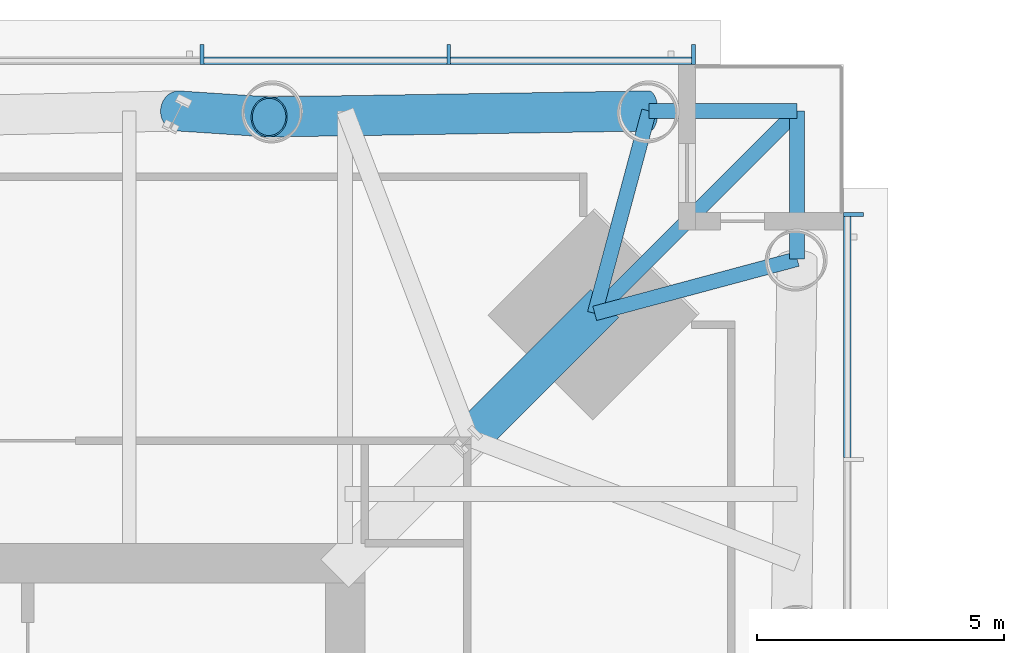
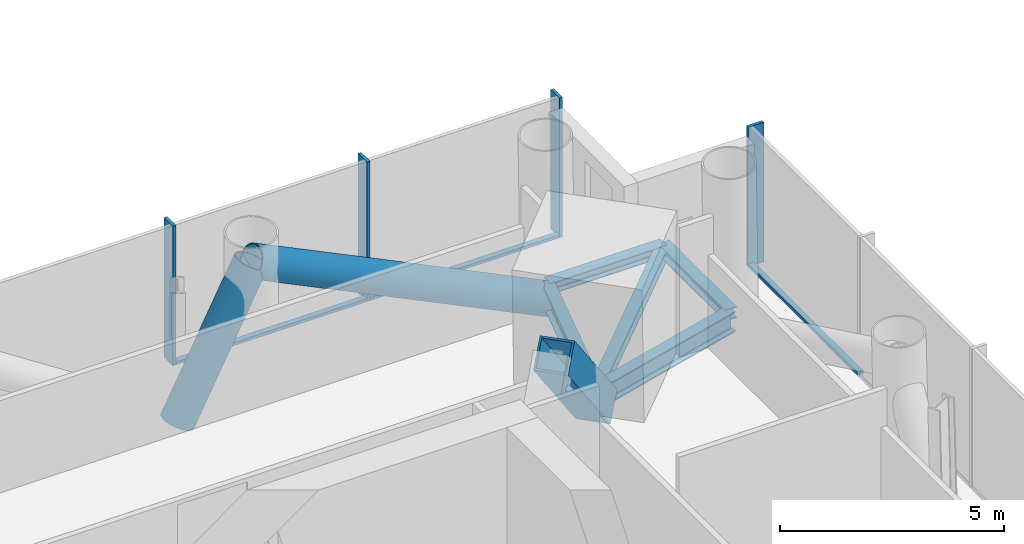
# One storey, part 5 of 28: 10 members, 5 beams, 2 elements without a shape of their own.
"""IFC4 building model written with IfcOpenShell, lengths in metres."""

from ifc_helpers import new_model, si_unit, direction, frame, origin, origin_2d, place, context, subcontext, project, spatial, rectangle, hollow_rectangle, hollow_circle, i_section, extrude, material, material_profile, profile_set, type_object, element, aggregate, save


model = new_model("IFC4")

# Units and contexts
model_context = context("Model", 3, precision=1e-05, world=origin(), true_north=direction((0.0, 1.0)))
body_context = subcontext(model_context, "Body", "Model", "MODEL_VIEW")
ifc_project = project(units=[si_unit("LENGTHUNIT", "METRE"), si_unit("AREAUNIT", "SQUARE_METRE"), si_unit("VOLUMEUNIT", "CUBIC_METRE"), si_unit("PLANEANGLEUNIT", "RADIAN"), si_unit("MASSUNIT", "GRAM", prefix="KILO")], contexts=[model_context])

# Site, building, storey
site_placement = place(None, origin())
site = spatial("IfcSite", under=ifc_project, at=site_placement, CompositionType="ELEMENT")
building_placement = place(site_placement, origin())
building = spatial("IfcBuilding", under=site, at=building_placement, Name="Ostroluk Exchange", CompositionType="ELEMENT")
storey_placement = place(building_placement, frame((0.0, 0.0, 81.800048828125)))
storey = spatial("IfcBuildingStorey", under=building, at=storey_placement, Name="L20", CompositionType="ELEMENT", Elevation=81.800048828125)

# Beams
ifc_material_1 = material(Name="Steel S355", Category="steel")
ifc_material_profile_1 = material_profile(ifc_material_1, i_section(OverallWidth=0.300048828125, OverallDepth=0.300048828125, WebThickness=0.010986328125, FlangeThickness=0.01904296875, FilletRadius=0.027099609375, at=origin_2d()), Name="HEB 300")
ifc_profile_set_1 = profile_set([ifc_material_profile_1], Name="Steel S355")
beam_type_1 = type_object("IfcBeamType", Name="Balcony beam HEB 300", PredefinedType="BEAM", material=ifc_profile_set_1)
for number, where, z_axis, x_axis, name in (
    (1, (67.05712890625, 65.05712890625, -0.429931640625), (0.0, 1.0, 0.0), (-1.0, 0.0, 0.0), "T1 east balcony beam a"),
    (2, (64.05712890625, 68.05712890625, -0.429931640625), (1.0, 0.0, 0.0), (0.0, 1.0, 0.0), "T1 east balcony beam b"),
):
    element("IfcBeam", number, at=place(storey_placement, frame(where, z_axis=z_axis, x_axis=x_axis)), inside=storey, type_object=beam_type_1, Name=name, PredefinedType="BEAM", context=body_context, shape_type="SweptSolid", body=[
        extrude(i_section(OverallWidth=0.300048828125, OverallDepth=0.300048828125, WebThickness=0.010986328125, FlangeThickness=0.01904296875, FilletRadius=0.027099609375, at=origin_2d()), origin(), (0.0, 0.0, 1.0), 3.0),
    ])
beam_placement = place(storey_placement, frame((62.95703125, 63.95703125, -0.429931640625), z_axis=(0.707106781187, 0.707106781187, 0.0), x_axis=(-0.707106781187, 0.707106781187, 0.0)))
element("IfcBeam", 3, at=beam_placement, inside=storey, type_object=beam_type_1, Name="T1 east balcony beam c", PredefinedType="BEAM", context=body_context, shape_type="SweptSolid", body=[
    extrude(i_section(OverallWidth=0.300048828125, OverallDepth=0.300048828125, WebThickness=0.010986328125, FlangeThickness=0.01904296875, FilletRadius=0.027099609375, at=origin_2d()), origin(), (0.0, 0.0, 1.0), 5.79833984375),
])

# Members
ifc_material_2 = material(Name="Steel S460", Category="steel")
ifc_material_profile_2 = material_profile(ifc_material_2, hollow_circle(Radius=0.406494140625, WallThickness=0.030029296875, at=origin_2d()), Name="CHS 813x30")
ifc_profile_set_2 = profile_set([ifc_material_profile_2], Name="Steel S460")
member_type_1 = type_object("IfcMemberType", Name="Belt truss diagonal CHS 813x30", PredefinedType="BRACE", material=ifc_profile_set_2)
member_1_placement = place(storey_placement, frame((64.05712890625, 68.05712890625, -0.780029296875), z_axis=(-0.896556576647, -0.014135797811, 0.442703607497), x_axis=(0.015764806696, -0.999875727713, 0.0)))
element("IfcMember", 4, at=member_1_placement, inside=storey, type_object=member_type_1, Name="Belt truss 1 north diagonal 1.1", PredefinedType="BRACE", context=body_context, shape_type="SweptSolid", body=[
    extrude(hollow_circle(Radius=0.406494140625, WallThickness=0.030029296875, at=origin_2d()), origin(), (0.0, 0.0, 1.0), 8.583740234375),
])
member_2_placement = place(storey_placement, frame((54.528564453125, 68.05712890625, -0.780029296875), z_axis=(0.434234496648, -0.028748440767, 0.900341007104), x_axis=(0.066060259857, 0.997815635309, 0.0)))
element("IfcMember", 5, at=member_2_placement, inside=storey, type_object=member_type_1, Name="Belt truss 1 north diagonal 1.2", PredefinedType="BRACE", context=body_context, shape_type="SweptSolid", body=[
    extrude(hollow_circle(Radius=0.406494140625, WallThickness=0.030029296875, at=origin_2d()), origin(), (0.0, 0.0, 1.0), 4.220703125),
])

# Beams
ifc_material_3 = material(Name="Steel S355", Category="steel")
ifc_material_profile_3 = material_profile(ifc_material_3, i_section(OverallWidth=0.300048828125, OverallDepth=0.550048828125, WebThickness=0.014892578125, FlangeThickness=0.029052734375, FilletRadius=0.027099609375, at=origin_2d()), Name="HEB 550")
ifc_profile_set_3 = profile_set([ifc_material_profile_3], Name="Steel S355")
beam_type_2 = type_object("IfcBeamType", Name="Corner edge beam HEB 550", PredefinedType="SPANDREL", material=ifc_profile_set_3)
for number, where, z_axis, x_axis, name in (
    (6, (62.95703125, 63.95703125, -0.554931640625), (0.965838624319, 0.259144268261, 0.0), (-0.259144268261, 0.965838624319, 0.0), "T1 east corner edge beam a"),
    (7, (62.95703125, 63.95703125, -0.554931640625), (0.259144268261, 0.965838624319, 0.0), (-0.965838624319, 0.259144268261, 0.0), "T1 east corner edge beam b"),
):
    element("IfcBeam", number, at=place(storey_placement, frame(where, z_axis=z_axis, x_axis=x_axis)), inside=storey, type_object=beam_type_2, Name=name, PredefinedType="SPANDREL", context=body_context, shape_type="SweptSolid", body=[
        extrude(i_section(OverallWidth=0.300048828125, OverallDepth=0.550048828125, WebThickness=0.014892578125, FlangeThickness=0.029052734375, FilletRadius=0.027099609375, at=origin_2d()), origin(), (0.0, 0.0, 1.0), 4.2451171875),
    ])

# Member
ifc_material_4 = material(Name="Steel S460", Category="steel")
ifc_material_profile_4 = material_profile(ifc_material_4, hollow_rectangle(XDim=0.800048828125, YDim=0.800048828125, WallThickness=0.050048828125, at=origin_2d()), Name="BOX 800x800x50")
ifc_profile_set_4 = profile_set([ifc_material_profile_4], Name="Steel S460")
member_type_2 = type_object("IfcMemberType", Name="Outrigger diagonal BOX 800x800x50", PredefinedType="BRACE", material=ifc_profile_set_4)
member_3_placement = place(storey_placement, frame((60.367919921875, 61.367919921875, 3.02001953125), z_axis=(0.490635155157, 0.490635155157, -0.720107137201), x_axis=(-0.707106781187, 0.707106781187, 0.0)))
element("IfcMember", 8, at=member_3_placement, inside=storey, type_object=member_type_2, Name="Outrigger 1 NE diagonal 1b", PredefinedType="BRACE", context=body_context, shape_type="SweptSolid", body=[
    extrude(hollow_rectangle(XDim=0.800048828125, YDim=0.800048828125, WallThickness=0.050048828125, at=origin_2d()), origin(), (0.0, 0.0, 1.0), 5.277099609375),
])

# Curtain wall, member
ifc_material_5 = material(Name="Laminated clear glass", Category="glass")
curtain_wall_type = type_object("IfcCurtainWallType", Name="Office tower plant and sky lobby facade", PredefinedType="USERDEFINED", material=ifc_material_5)
curtain_wall_1_placement = place(storey_placement, origin())
curtain_wall_1 = element("IfcCurtainWall", 9, at=curtain_wall_1_placement, inside=storey, type_object=curtain_wall_type, Name="Office tower east facade L20", ObjectType="LOUVRED CURTAIN WALL", PredefinedType="USERDEFINED")
ifc_material_6 = material(Name="Aluminium mullion", Category="aluminium")
ifc_material_profile_5 = material_profile(ifc_material_6, rectangle(XDim=0.14990234375, YDim=0.080078125, at=origin_2d()), Name="Sill transom 80 x 150")
ifc_profile_set_5 = profile_set([ifc_material_profile_5], Name="Aluminium mullion")
member_type_3 = type_object("IfcMemberType", Name="Sill transom 80 x 150", PredefinedType="USERDEFINED", material=ifc_profile_set_5)
member_4_placement = place(storey_placement, frame((68.074951171875, 61.0400390625, 0.0400390625), z_axis=(0.0, 1.0, 0.0), x_axis=(-1.0, 0.0, 0.0)))
member_4 = element("IfcMember", 10, at=member_4_placement, type_object=member_type_3, Name="CW-P1 transom 8.1", ObjectType="TRANSOM", PredefinedType="USERDEFINED", context=body_context, shape_type="SweptSolid", body=[
    extrude(rectangle(XDim=0.14990234375, YDim=0.080078125, at=origin_2d()), origin(), (0.0, 0.0, 1.0), 4.8798828125),
])

# Curtain wall, members
curtain_wall_2_placement = place(storey_placement, origin())
curtain_wall_2 = element("IfcCurtainWall", 11, at=curtain_wall_2_placement, inside=storey, type_object=curtain_wall_type, Name="Office tower north facade L20", ObjectType="LOUVRED CURTAIN WALL", PredefinedType="USERDEFINED")
member_5_placement = place(storey_placement, frame((64.919921875, 69.074951171875, 0.0400390625), z_axis=(-1.0, 0.0, 0.0), x_axis=(0.0, -1.0, 0.0)))
member_5 = element("IfcMember", 12, at=member_5_placement, type_object=member_type_3, Name="CW-P1 transom 1.1", ObjectType="TRANSOM", PredefinedType="USERDEFINED", context=body_context, shape_type="SweptSolid", body=[
    extrude(rectangle(XDim=0.14990234375, YDim=0.080078125, at=origin_2d()), origin(), (0.0, 0.0, 1.0), 4.8798828125),
])
member_6_placement = place(storey_placement, frame((59.9599609375, 69.074951171875, 0.0400390625), z_axis=(-1.0, 0.0, 0.0), x_axis=(0.0, -1.0, 0.0)))
member_6 = element("IfcMember", 13, at=member_6_placement, type_object=member_type_3, Name="CW-P1 transom 2.1", ObjectType="TRANSOM", PredefinedType="USERDEFINED", context=body_context, shape_type="SweptSolid", body=[
    extrude(rectangle(XDim=0.14990234375, YDim=0.080078125, at=origin_2d()), origin(), (0.0, 0.0, 1.0), 4.919921875),
])

# Member
ifc_material_7 = material(Name="Aluminium mullion with limestone facing", Category="masonry")
ifc_material_profile_6 = material_profile(ifc_material_7, rectangle(XDim=0.39990234375, YDim=0.080078125, at=origin_2d()), Name="Tracery mullion 80 x 400")
ifc_profile_set_6 = profile_set([ifc_material_profile_6], Name="Aluminium mullion with limestone facing")
member_type_4 = type_object("IfcMemberType", Name="Tracery mullion 80 x 400", PredefinedType="MULLION", material=ifc_profile_set_6)
member_7_placement = place(storey_placement, frame((68.199951171875, 65.9599609375, 0.0), z_axis=(0.0, 0.0, 1.0), x_axis=(-1.0, 0.0, 0.0)))
member_7 = element("IfcMember", 14, at=member_7_placement, type_object=member_type_4, Name="CW-P1 mullion 9", PredefinedType="MULLION", context=body_context, shape_type="SweptSolid", body=[
    extrude(rectangle(XDim=0.39990234375, YDim=0.080078125, at=origin_2d()), origin(), (0.0, 0.0, 1.0), 3.800048828125),
])

aggregate(curtain_wall_1, [member_7, member_4])

member_8_placement = place(storey_placement, frame((64.9599609375, 69.199951171875, 0.0), z_axis=(0.0, 0.0, 1.0), x_axis=(0.0, -1.0, 0.0)))
member_8 = element("IfcMember", 15, at=member_8_placement, type_object=member_type_4, Name="CW-P1 mullion 1", PredefinedType="MULLION", context=body_context, shape_type="SweptSolid", body=[
    extrude(rectangle(XDim=0.39990234375, YDim=0.080078125, at=origin_2d()), origin(), (0.0, 0.0, 1.0), 3.800048828125),
])

member_9_placement = place(storey_placement, frame((60.0, 69.199951171875, 0.0), z_axis=(0.0, 0.0, 1.0), x_axis=(0.0, -1.0, 0.0)))
member_9 = element("IfcMember", 16, at=member_9_placement, type_object=member_type_4, Name="CW-P1 mullion 2", PredefinedType="MULLION", context=body_context, shape_type="SweptSolid", body=[
    extrude(rectangle(XDim=0.39990234375, YDim=0.080078125, at=origin_2d()), origin(), (0.0, 0.0, 1.0), 3.800048828125),
])

member_10_placement = place(storey_placement, frame((55.0, 69.199951171875, 0.0), z_axis=(0.0, 0.0, 1.0), x_axis=(0.0, -1.0, 0.0)))
member_10 = element("IfcMember", 17, at=member_10_placement, type_object=member_type_4, Name="CW-P1 mullion 3", PredefinedType="MULLION", context=body_context, shape_type="SweptSolid", body=[
    extrude(rectangle(XDim=0.39990234375, YDim=0.080078125, at=origin_2d()), origin(), (0.0, 0.0, 1.0), 3.800048828125),
])

aggregate(curtain_wall_2, [member_8, member_9, member_10, member_5, member_6])

save(model, "model.ifc")
